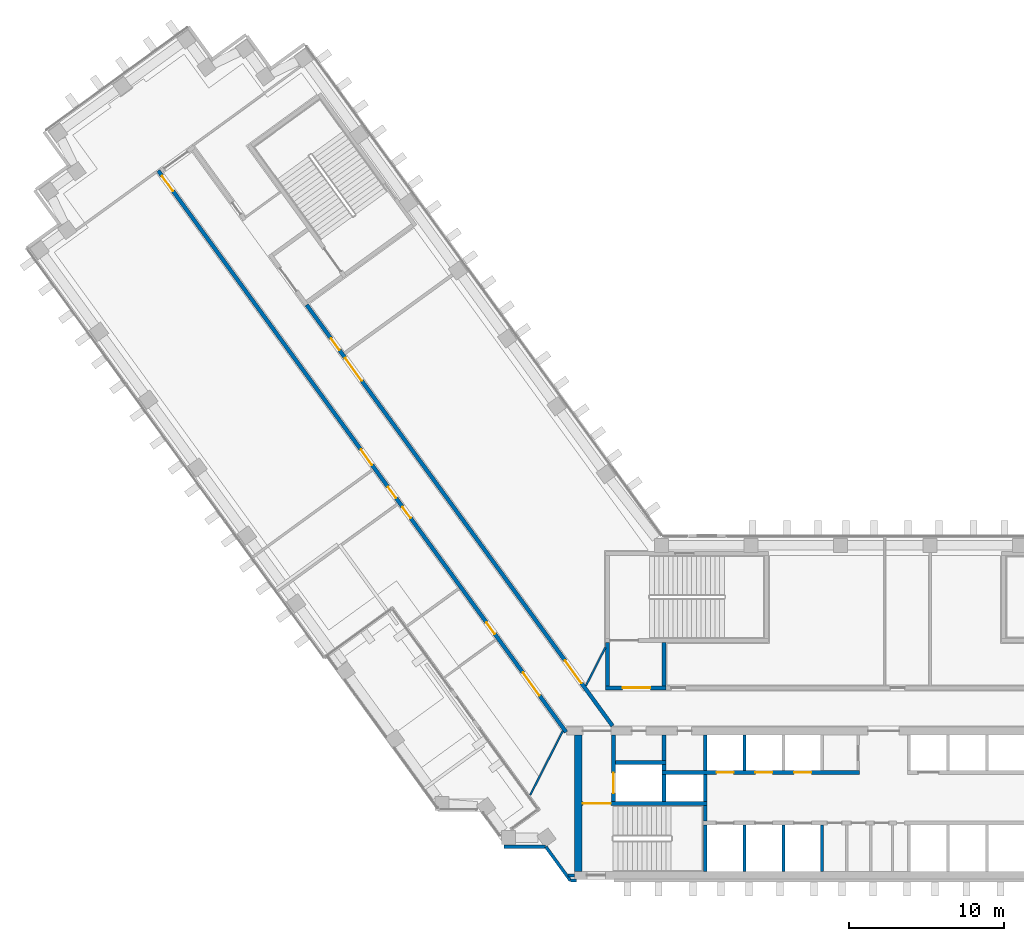
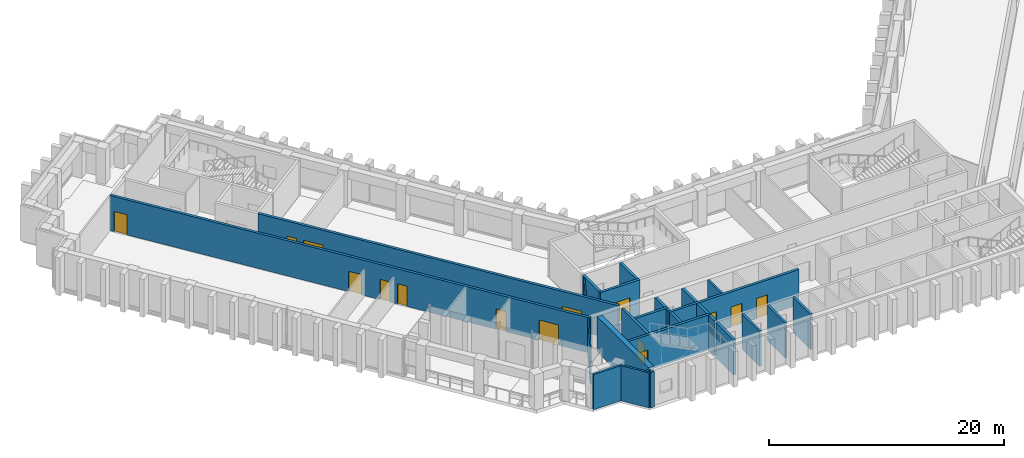
# One storey, part 8 of 16: 27 walls, 15 doors, 15 openings.
"""IFC4 building model written with IfcOpenShell, lengths in metres."""

from ifc_helpers import new_model, si_unit, direction, frame, frame_2d, origin, place, context, subcontext, project, spatial, rectangle, extrude, material, layer, layer_set, type_object, element, fill, save


model = new_model("IFC4")

# Units and contexts
model_context = context("Model", 3, precision=1e-05, world=origin(), true_north=direction((0.0, 1.0)))
body_context = subcontext(model_context, "Body", "Model", "MODEL_VIEW")
ifc_project = project(units=[si_unit("LENGTHUNIT", "METRE"), si_unit("AREAUNIT", "SQUARE_METRE"), si_unit("VOLUMEUNIT", "CUBIC_METRE"), si_unit("PLANEANGLEUNIT", "RADIAN"), si_unit("MASSUNIT", "GRAM", prefix="KILO")], contexts=[model_context])

# Site, building, storey
site_placement = place(None, origin())
site = spatial("IfcSite", under=ifc_project, at=site_placement, CompositionType="ELEMENT")
building_placement = place(site_placement, origin())
building = spatial("IfcBuilding", under=site, at=building_placement, Name="Quipu Civic Tower", CompositionType="ELEMENT")
storey_placement = place(building_placement, frame((0.0, 0.0, 63.0)))
storey = spatial("IfcBuildingStorey", under=building, at=storey_placement, Name="L14", CompositionType="ELEMENT", Elevation=63.0)

# Walls
ifc_material_1 = material(Name="Concrete C70/85", Category="concrete")
ifc_layer_1 = layer(ifc_material_1, 0.25)
ifc_layer_set_1 = layer_set([ifc_layer_1], Name="Concrete C70/85")
wall_type_1 = type_object("IfcWallType", Name="Core wall 250", PredefinedType="SHEAR", material=ifc_layer_set_1)
wall_1_placement = place(storey_placement, frame((-11.574951171875, -10.5, 0.0), z_axis=(0.0, 0.0, 1.0), x_axis=(0.0, 1.0, 0.0)))
element("IfcWall", 1, at=wall_1_placement, inside=storey, type_object=wall_type_1, Name="Core wall", PredefinedType="SHEAR", context=body_context, shape_type="SweptSolid", body=[
    extrude(rectangle(XDim=3.0, YDim=0.25, at=frame_2d((1.5, 0.0))), origin(), (0.0, 0.0, 1.0), 3.64990234375),
])
wall_2_placement = place(storey_placement, frame((-11.574951171875, -7.25, 0.0), z_axis=(0.0, 0.0, 1.0), x_axis=(0.0, 1.0, 0.0)))
element("IfcWall", 2, at=wall_2_placement, inside=storey, type_object=wall_type_1, Name="Core wall", PredefinedType="SHEAR", context=body_context, shape_type="SweptSolid", body=[
    extrude(rectangle(XDim=1.0, YDim=0.25, at=frame_2d((0.5, 0.0))), origin(), (0.0, 0.0, 1.0), 3.64990234375),
])

# Wall, opening, door
wall_3_placement = place(storey_placement, frame((-11.449951171875, -6.125, 0.0), z_axis=(0.0, 0.0, 1.0), x_axis=(-1.0, 0.0, 0.0)))
wall_3 = element("IfcWall", 3, at=wall_3_placement, inside=storey, type_object=wall_type_1, Name="Core wall", PredefinedType="SHEAR", context=body_context, shape_type="SweptSolid", body=[
    extrude(rectangle(XDim=8.050048828125, YDim=0.25, at=frame_2d((4.02490234375, 0.0))), origin(), (0.0, 0.0, 1.0), 3.64990234375),
])
opening_1_placement = place(wall_3_placement, frame((6.199951171875, 0.0, 0.0)))
opening_1 = element("IfcOpeningElement", 4, at=opening_1_placement, cuts=wall_3, Name="Opening CD-05", PredefinedType="OPENING", context=body_context, shape_type="SweptSolid", body=[
    extrude(rectangle(XDim=1.800048828125, YDim=2.10009765625, at=frame_2d((0.89990234375, 1.050048828125))), frame((0.0, 0.135009765625, 0.0), z_axis=(0.0, -1.0, 0.0), x_axis=(1.0, 0.0, 0.0)), (0.0, 0.0, 1.0), 0.27001953125),
])
ifc_material_2 = material(Name="Fire rated steel door", Category="steel")
door_type_1 = type_object("IfcDoorType", Name="Fire door FD90 double 1800 x 2100", OperationType="NOTDEFINED", PredefinedType="DOOR", material=ifc_material_2)
door_1_placement = place(opening_1_placement, origin())
door_1 = element("IfcDoor", 5, at=door_1_placement, inside=storey, type_object=door_type_1, Name="Door", OperationType="DOUBLE_DOOR_SINGLE_SWING", OverallHeight=2.10009765625, OverallWidth=1.800048828125, PredefinedType="DOOR", context=body_context, shape_type="SweptSolid", body=[
    extrude(rectangle(XDim=1.800048828125, YDim=2.10009765625, at=frame_2d((0.89990234375, 1.050048828125))), frame((0.0, 0.02490234375, 0.0), z_axis=(0.0, -1.0, 0.0), x_axis=(1.0, 0.0, 0.0)), (0.0, 0.0, 1.0), 0.050048828125),
])
fill(opening_1, door_1)

wall_4_placement = place(storey_placement, frame((-17.47509765625, -6.0, 0.0), z_axis=(0.0, 0.0, 1.0), x_axis=(0.0, 1.0, 0.0)))
wall_4 = element("IfcWall", 6, at=wall_4_placement, inside=storey, type_object=wall_type_1, Name="Core wall", PredefinedType="SHEAR", context=body_context, shape_type="SweptSolid", body=[
    extrude(rectangle(XDim=4.300048828125, YDim=0.25, at=frame_2d((2.14990234375, 0.0))), origin(), (0.0, 0.0, 1.0), 3.64990234375),
])
opening_2_placement = place(wall_4_placement, frame((0.550048828125, 0.0, 0.0)))
opening_2 = element("IfcOpeningElement", 7, at=opening_2_placement, cuts=wall_4, Name="Opening LD-FF1", PredefinedType="OPENING", context=body_context, shape_type="SweptSolid", body=[
    extrude(rectangle(XDim=1.300048828125, YDim=2.10009765625, at=frame_2d((0.64990234375, 1.050048828125))), frame((0.0, 0.135009765625, 0.0), z_axis=(0.0, -1.0, 0.0), x_axis=(1.0, 0.0, 0.0)), (0.0, 0.0, 1.0), 0.27001953125),
])
ifc_material_3 = material(Name="Stainless steel", Category="steel")
door_type_2 = type_object("IfcDoorType", Name="Lift landing door 1300 x 2100", OperationType="DOUBLE_DOOR_SLIDING", PredefinedType="DOOR", material=ifc_material_3)
door_2_placement = place(opening_2_placement, origin())
door_2 = element("IfcDoor", 8, at=door_2_placement, inside=storey, type_object=door_type_2, Name="Landing door FF1", OperationType="DOUBLE_DOOR_SLIDING", OverallHeight=2.10009765625, OverallWidth=1.300048828125, PredefinedType="DOOR", context=body_context, shape_type="SweptSolid", body=[
    extrude(rectangle(XDim=1.300048828125, YDim=2.10009765625, at=frame_2d((0.64990234375, 1.050048828125))), frame((0.0, 0.02490234375, 0.0), z_axis=(0.0, -1.0, 0.0), x_axis=(1.0, 0.0, 0.0)), (0.0, 0.0, 1.0), 0.050048828125),
])
fill(opening_2, door_2)

# Walls
for number, where, z_axis, x_axis, name in (
    (9, (-14.22509765625, -6.0, 0.0), (0.0, 0.0, 1.0), (0.0, 1.0, 0.0), "Core wall"),
    (10, (-11.574951171875, -6.0, 0.0), (0.0, 0.0, 1.0), (0.0, 1.0, 0.0), "Core wall"),
):
    element("IfcWall", number, at=place(storey_placement, frame(where, z_axis=z_axis, x_axis=x_axis)), inside=storey, type_object=wall_type_1, Name=name, PredefinedType="SHEAR", context=body_context, shape_type="SweptSolid", body=[
        extrude(rectangle(XDim=1.75, YDim=0.25, at=frame_2d((0.875, 0.0))), origin(), (0.0, 0.0, 1.0), 3.64990234375),
    ])

# Wall, openings, doors
wall_5_placement = place(storey_placement, frame((-14.35009765625, -4.125, 0.0), z_axis=(0.0, 0.0, 1.0), x_axis=(1.0, 0.0, 0.0)))
wall_5 = element("IfcWall", 11, at=wall_5_placement, inside=storey, type_object=wall_type_1, Name="Core wall", PredefinedType="SHEAR", context=body_context, shape_type="SweptSolid", body=[
    extrude(rectangle(XDim=12.7001953125, YDim=0.25, at=frame_2d((6.35009765625, 0.0))), origin(), (0.0, 0.0, 1.0), 3.64990234375),
])
opening_3_placement = place(wall_5_placement, frame((3.5, 0.0, 0.0)))
opening_3 = element("IfcOpeningElement", 12, at=opening_3_placement, cuts=wall_5, Name="Opening LD-LL4", PredefinedType="OPENING", context=body_context, shape_type="SweptSolid", body=[
    extrude(rectangle(XDim=1.10009765625, YDim=2.10009765625, at=frame_2d((0.550048828125, 1.050048828125))), frame((0.0, 0.135009765625, 0.0), z_axis=(0.0, -1.0, 0.0), x_axis=(1.0, 0.0, 0.0)), (0.0, 0.0, 1.0), 0.27001953125),
])
opening_4_placement = place(wall_5_placement, frame((6.0, 0.0, 0.0)))
opening_4 = element("IfcOpeningElement", 13, at=opening_4_placement, cuts=wall_5, Name="Opening LD-LL5", PredefinedType="OPENING", context=body_context, shape_type="SweptSolid", body=[
    extrude(rectangle(XDim=1.10009765625, YDim=2.10009765625, at=frame_2d((0.550048828125, 1.050048828125))), frame((0.0, 0.135009765625, 0.0), z_axis=(0.0, -1.0, 0.0), x_axis=(1.0, 0.0, 0.0)), (0.0, 0.0, 1.0), 0.27001953125),
])
opening_5_placement = place(wall_5_placement, frame((8.5, 0.0, 0.0)))
opening_5 = element("IfcOpeningElement", 14, at=opening_5_placement, cuts=wall_5, Name="Opening LD-LL6", PredefinedType="OPENING", context=body_context, shape_type="SweptSolid", body=[
    extrude(rectangle(XDim=1.10009765625, YDim=2.10009765625, at=frame_2d((0.550048828125, 1.050048828125))), frame((0.0, 0.135009765625, 0.0), z_axis=(0.0, -1.0, 0.0), x_axis=(1.0, 0.0, 0.0)), (0.0, 0.0, 1.0), 0.27001953125),
])
ifc_material_4 = material(Name="Stainless steel", Category="steel")
door_type_3 = type_object("IfcDoorType", Name="Lift landing door 1100 x 2100", OperationType="DOUBLE_DOOR_SLIDING", PredefinedType="DOOR", material=ifc_material_4)
door_3_placement = place(opening_3_placement, origin())
door_3 = element("IfcDoor", 15, at=door_3_placement, inside=storey, type_object=door_type_3, Name="Landing door LL4", OperationType="DOUBLE_DOOR_SLIDING", OverallHeight=2.10009765625, OverallWidth=1.10009765625, PredefinedType="DOOR", context=body_context, shape_type="SweptSolid", body=[
    extrude(rectangle(XDim=1.10009765625, YDim=2.10009765625, at=frame_2d((0.550048828125, 1.050048828125))), frame((0.0, 0.02490234375, 0.0), z_axis=(0.0, -1.0, 0.0), x_axis=(1.0, 0.0, 0.0)), (0.0, 0.0, 1.0), 0.050048828125),
])
fill(opening_3, door_3)
door_4_placement = place(opening_4_placement, origin())
door_4 = element("IfcDoor", 16, at=door_4_placement, inside=storey, type_object=door_type_3, Name="Landing door LL5", OperationType="DOUBLE_DOOR_SLIDING", OverallHeight=2.10009765625, OverallWidth=1.10009765625, PredefinedType="DOOR", context=body_context, shape_type="SweptSolid", body=[
    extrude(rectangle(XDim=1.10009765625, YDim=2.10009765625, at=frame_2d((0.550048828125, 1.050048828125))), frame((0.0, 0.02490234375, 0.0), z_axis=(0.0, -1.0, 0.0), x_axis=(1.0, 0.0, 0.0)), (0.0, 0.0, 1.0), 0.050048828125),
])
fill(opening_4, door_4)
door_5_placement = place(opening_5_placement, origin())
door_5 = element("IfcDoor", 17, at=door_5_placement, inside=storey, type_object=door_type_3, Name="Landing door LL6", OperationType="DOUBLE_DOOR_SLIDING", OverallHeight=2.10009765625, OverallWidth=1.10009765625, PredefinedType="DOOR", context=body_context, shape_type="SweptSolid", body=[
    extrude(rectangle(XDim=1.10009765625, YDim=2.10009765625, at=frame_2d((0.550048828125, 1.050048828125))), frame((0.0, 0.02490234375, 0.0), z_axis=(0.0, -1.0, 0.0), x_axis=(1.0, 0.0, 0.0)), (0.0, 0.0, 1.0), 0.050048828125),
])
fill(opening_5, door_5)

# Walls
wall_6_placement = place(storey_placement, frame((-14.22509765625, -4.0, 0.0), z_axis=(0.0, 0.0, 1.0), x_axis=(0.0, 1.0, 0.0)))
element("IfcWall", 18, at=wall_6_placement, inside=storey, type_object=wall_type_1, Name="Core wall", PredefinedType="SHEAR", context=body_context, shape_type="SweptSolid", body=[
    extrude(rectangle(XDim=0.39990234375, YDim=0.25, at=frame_2d((0.199951171875, 0.0))), origin(), (0.0, 0.0, 1.0), 3.64990234375),
])
wall_7_placement = place(storey_placement, frame((-11.574951171875, -4.0, 0.0), z_axis=(0.0, 0.0, 1.0), x_axis=(0.0, 1.0, 0.0)))
element("IfcWall", 19, at=wall_7_placement, inside=storey, type_object=wall_type_1, Name="Core wall", PredefinedType="SHEAR", context=body_context, shape_type="SweptSolid", body=[
    extrude(rectangle(XDim=2.300048828125, YDim=0.25, at=frame_2d((1.14990234375, 0.0))), origin(), (0.0, 0.0, 1.0), 3.64990234375),
])
wall_8_placement = place(storey_placement, frame((-17.35009765625, -3.47509765625, 0.0), z_axis=(0.0, 0.0, 1.0), x_axis=(1.0, 0.0, 0.0)))
element("IfcWall", 20, at=wall_8_placement, inside=storey, type_object=wall_type_1, Name="Core wall", PredefinedType="SHEAR", context=body_context, shape_type="SweptSolid", body=[
    extrude(rectangle(XDim=3.25, YDim=0.25, at=frame_2d((1.625, 0.0))), origin(), (0.0, 0.0, 1.0), 3.64990234375),
])
wall_9_placement = place(storey_placement, frame((-14.22509765625, -3.35009765625, 0.0), z_axis=(0.0, 0.0, 1.0), x_axis=(0.0, 1.0, 0.0)))
element("IfcWall", 21, at=wall_9_placement, inside=storey, type_object=wall_type_1, Name="Core wall", PredefinedType="SHEAR", context=body_context, shape_type="SweptSolid", body=[
    extrude(rectangle(XDim=1.650146484375, YDim=0.25, at=frame_2d((0.8251953125, 0.0))), origin(), (0.0, 0.0, 1.0), 3.64990234375),
])

# Wall, opening, door
wall_10_placement = place(storey_placement, frame((-18.0, 1.324951171875, 0.0), z_axis=(0.0, 0.0, 1.0), x_axis=(1.0, 0.0, 0.0)))
wall_10 = element("IfcWall", 22, at=wall_10_placement, inside=storey, type_object=wall_type_1, Name="Core wall", PredefinedType="SHEAR", context=body_context, shape_type="SweptSolid", body=[
    extrude(rectangle(XDim=3.89990234375, YDim=0.25, at=frame_2d((1.949951171875, 0.0))), origin(), (0.0, 0.0, 1.0), 3.64990234375),
])
opening_6_placement = place(wall_10_placement, frame((1.10009765625, 0.0, 0.0)))
opening_6 = element("IfcOpeningElement", 23, at=opening_6_placement, cuts=wall_10, Name="Opening CD-16", PredefinedType="OPENING", context=body_context, shape_type="SweptSolid", body=[
    extrude(rectangle(XDim=1.800048828125, YDim=2.10009765625, at=frame_2d((0.89990234375, 1.050048828125))), frame((0.0, 0.135009765625, 0.0), z_axis=(0.0, -1.0, 0.0), x_axis=(1.0, 0.0, 0.0)), (0.0, 0.0, 1.0), 0.27001953125),
])
door_6_placement = place(opening_6_placement, origin())
door_6 = element("IfcDoor", 24, at=door_6_placement, inside=storey, type_object=door_type_1, Name="Lobby door", OperationType="DOUBLE_DOOR_SINGLE_SWING", OverallHeight=2.10009765625, OverallWidth=1.800048828125, PredefinedType="DOOR", context=body_context, shape_type="SweptSolid", body=[
    extrude(rectangle(XDim=1.800048828125, YDim=2.10009765625, at=frame_2d((0.89990234375, 1.050048828125))), frame((0.0, 0.02490234375, 0.0), z_axis=(0.0, -1.0, 0.0), x_axis=(1.0, 0.0, 0.0)), (0.0, 0.0, 1.0), 0.050048828125),
])
fill(opening_6, door_6)

# Walls
for number, where, z_axis, x_axis, name in (
    (25, (-17.875, 1.449951171875, 0.0), (0.0, 0.0, 1.0), (0.0, 1.0, 0.0), "Core wall"),
    (26, (-14.22509765625, 1.449951171875, 0.0), (0.0, 0.0, 1.0), (0.0, 1.0, 0.0), "Core wall"),
):
    element("IfcWall", number, at=place(storey_placement, frame(where, z_axis=z_axis, x_axis=x_axis)), inside=storey, type_object=wall_type_1, Name=name, PredefinedType="SHEAR", context=body_context, shape_type="SweptSolid", body=[
        extrude(rectangle(XDim=2.800048828125, YDim=0.25, at=frame_2d((1.39990234375, 0.0))), origin(), (0.0, 0.0, 1.0), 3.64990234375),
    ])
ifc_material_5 = material(Name="Concrete C70/85", Category="concrete")
ifc_layer_2 = layer(ifc_material_5, 0.5)
ifc_layer_set_2 = layer_set([ifc_layer_2], Name="Concrete C70/85")
wall_type_2 = type_object("IfcWallType", Name="Core wall 500", PredefinedType="SHEAR", material=ifc_layer_set_2)
wall_11_placement = place(storey_placement, frame((-19.75, -10.5, 0.0), z_axis=(0.0, 0.0, 1.0), x_axis=(0.0, 1.0, 0.0)))
element("IfcWall", 27, at=wall_11_placement, inside=storey, type_object=wall_type_2, Name="Core wall", PredefinedType="SHEAR", context=body_context, shape_type="SweptSolid", body=[
    extrude(rectangle(XDim=8.800048828125, YDim=0.5, at=frame_2d((4.39990234375, 0.0))), origin(), (0.0, 0.0, 1.0), 3.64990234375),
])

# Wall, openings, doors
ifc_material_6 = material(Name="Concrete C50/60", Category="concrete")
ifc_layer_3 = layer(ifc_material_6, 0.25)
ifc_layer_set_3 = layer_set([ifc_layer_3], Name="Concrete C50/60")
wall_type_3 = type_object("IfcWallType", Name="Corridor wall 250 concrete", PredefinedType="SOLIDWALL", material=ifc_layer_set_3)
wall_12_placement = place(storey_placement, frame((-20.531005859375, -1.5234375, 0.0), z_axis=(0.0, 0.0, 1.0), x_axis=(-0.587784593204, 0.809017473231, 0.0)))
wall_12 = element("IfcWall", 28, at=wall_12_placement, inside=storey, type_object=wall_type_3, Name="Corridor wall C01", PredefinedType="SOLIDWALL", context=body_context, shape_type="SweptSolid", body=[
    extrude(rectangle(XDim=44.67041015625, YDim=0.25, at=frame_2d((22.335205078125, 0.0))), origin(), (0.0, 0.0, 1.0), 3.64990234375),
])
opening_7_placement = place(wall_12_placement, frame((43.0458984375, 0.0, 0.0)))
opening_7 = element("IfcOpeningElement", 29, at=opening_7_placement, cuts=wall_12, Name="Opening D015", PredefinedType="OPENING", context=body_context, shape_type="SweptSolid", body=[
    extrude(rectangle(XDim=1.199951171875, YDim=2.10009765625, at=frame_2d((0.60009765625, 1.050048828125))), frame((0.0, 0.135009765625, 0.0), z_axis=(0.0, -1.0, 0.0), x_axis=(1.0, 0.0, 0.0)), (0.0, 0.0, 1.0), 0.27001953125),
])
opening_8_placement = place(wall_12_placement, frame((21.265625, 0.0, 0.0)))
opening_8 = element("IfcOpeningElement", 30, at=opening_8_placement, cuts=wall_12, Name="Opening D016", PredefinedType="OPENING", context=body_context, shape_type="SweptSolid", body=[
    extrude(rectangle(XDim=1.199951171875, YDim=2.10009765625, at=frame_2d((0.60009765625, 1.050048828125))), frame((0.0, 0.135009765625, 0.0), z_axis=(0.0, -1.0, 0.0), x_axis=(1.0, 0.0, 0.0)), (0.0, 0.0, 1.0), 0.27001953125),
])
opening_9_placement = place(wall_12_placement, frame((17.015380859375, 0.0, 0.0)))
opening_9 = element("IfcOpeningElement", 31, at=opening_9_placement, cuts=wall_12, Name="Opening D018", PredefinedType="OPENING", context=body_context, shape_type="SweptSolid", body=[
    extrude(rectangle(XDim=0.89990234375, YDim=2.10009765625, at=frame_2d((0.449951171875, 1.050048828125))), frame((0.0, 0.135009765625, 0.0), z_axis=(0.0, -1.0, 0.0), x_axis=(1.0, 0.0, 0.0)), (0.0, 0.0, 1.0), 0.27001953125),
])
opening_10_placement = place(wall_12_placement, frame((2.92431640625, 0.0, 0.0)))
opening_10 = element("IfcOpeningElement", 32, at=opening_10_placement, cuts=wall_12, Name="Opening D020", PredefinedType="OPENING", context=body_context, shape_type="SweptSolid", body=[
    extrude(rectangle(XDim=1.800048828125, YDim=2.10009765625, at=frame_2d((0.89990234375, 1.050048828125))), frame((0.0, 0.135009765625, 0.0), z_axis=(0.0, -1.0, 0.0), x_axis=(1.0, 0.0, 0.0)), (0.0, 0.0, 1.0), 0.27001953125),
])
opening_11_placement = place(wall_12_placement, frame((18.6162109375, 0.0, 0.0)))
opening_11 = element("IfcOpeningElement", 33, at=opening_11_placement, cuts=wall_12, Name="Opening D017", PredefinedType="OPENING", context=body_context, shape_type="SweptSolid", body=[
    extrude(rectangle(XDim=0.89990234375, YDim=2.10009765625, at=frame_2d((0.449951171875, 1.050048828125))), frame((0.0, 0.135009765625, 0.0), z_axis=(0.0, -1.0, 0.0), x_axis=(1.0, 0.0, 0.0)), (0.0, 0.0, 1.0), 0.27001953125),
])
opening_12_placement = place(wall_12_placement, frame((7.81591796875, 0.0, 0.0)))
opening_12 = element("IfcOpeningElement", 34, at=opening_12_placement, cuts=wall_12, Name="Opening D019", PredefinedType="OPENING", context=body_context, shape_type="SweptSolid", body=[
    extrude(rectangle(XDim=0.89990234375, YDim=2.10009765625, at=frame_2d((0.449951171875, 1.050048828125))), frame((0.0, 0.135009765625, 0.0), z_axis=(0.0, -1.0, 0.0), x_axis=(1.0, 0.0, 0.0)), (0.0, 0.0, 1.0), 0.27001953125),
])
ifc_material_7 = material(Name="Fire rated timber door set with metal frame", Category="wood")
door_type_4 = type_object("IfcDoorType", Name="Double door 1800 x 2100 FD60", OperationType="DOUBLE_DOOR_SINGLE_SWING", PredefinedType="DOOR", material=ifc_material_7)
door_7_placement = place(opening_10_placement, origin())
door_7 = element("IfcDoor", 35, at=door_7_placement, inside=storey, type_object=door_type_4, Name="Door D020", OperationType="DOUBLE_DOOR_SINGLE_SWING", OverallHeight=2.10009765625, OverallWidth=1.800048828125, PredefinedType="DOOR", context=body_context, shape_type="SweptSolid", body=[
    extrude(rectangle(XDim=1.800048828125, YDim=2.10009765625, at=frame_2d((0.89990234375, 1.050048828125))), frame((0.0, 0.02490234375, 0.0), z_axis=(0.0, -1.0, 0.0), x_axis=(1.0, 0.0, 0.0)), (0.0, 0.0, 1.0), 0.050048828125),
])
fill(opening_10, door_7)
ifc_material_8 = material(Name="Fire rated timber door set with metal frame", Category="wood")
door_type_5 = type_object("IfcDoorType", Name="Single door 1200 x 2100 FD60", OperationType="NOTDEFINED", PredefinedType="DOOR", material=ifc_material_8)
door_8_placement = place(opening_7_placement, origin())
door_8 = element("IfcDoor", 36, at=door_8_placement, inside=storey, type_object=door_type_5, Name="Door D015", OperationType="SINGLE_SWING_RIGHT", OverallHeight=2.10009765625, OverallWidth=1.199951171875, PredefinedType="DOOR", context=body_context, shape_type="SweptSolid", body=[
    extrude(rectangle(XDim=1.199951171875, YDim=2.10009765625, at=frame_2d((0.60009765625, 1.050048828125))), frame((0.0, 0.02490234375, 0.0), z_axis=(0.0, -1.0, 0.0), x_axis=(1.0, 0.0, 0.0)), (0.0, 0.0, 1.0), 0.050048828125),
])
fill(opening_7, door_8)
door_9_placement = place(opening_8_placement, origin())
door_9 = element("IfcDoor", 37, at=door_9_placement, inside=storey, type_object=door_type_5, Name="Door D016", OperationType="SINGLE_SWING_LEFT", OverallHeight=2.10009765625, OverallWidth=1.199951171875, PredefinedType="DOOR", context=body_context, shape_type="SweptSolid", body=[
    extrude(rectangle(XDim=1.199951171875, YDim=2.10009765625, at=frame_2d((0.60009765625, 1.050048828125))), frame((0.0, 0.02490234375, 0.0), z_axis=(0.0, -1.0, 0.0), x_axis=(1.0, 0.0, 0.0)), (0.0, 0.0, 1.0), 0.050048828125),
])
fill(opening_8, door_9)
ifc_material_9 = material(Name="Fire rated timber door set with metal frame", Category="wood")
door_type_6 = type_object("IfcDoorType", Name="Single door 900 x 2100 FD60", OperationType="NOTDEFINED", PredefinedType="DOOR", material=ifc_material_9)
door_10_placement = place(opening_9_placement, origin())
door_10 = element("IfcDoor", 38, at=door_10_placement, inside=storey, type_object=door_type_6, Name="Door D018", OperationType="SINGLE_SWING_RIGHT", OverallHeight=2.10009765625, OverallWidth=0.89990234375, PredefinedType="DOOR", context=body_context, shape_type="SweptSolid", body=[
    extrude(rectangle(XDim=0.89990234375, YDim=2.10009765625, at=frame_2d((0.449951171875, 1.050048828125))), frame((0.0, 0.02490234375, 0.0), z_axis=(0.0, -1.0, 0.0), x_axis=(1.0, 0.0, 0.0)), (0.0, 0.0, 1.0), 0.050048828125),
])
fill(opening_9, door_10)
door_11_placement = place(opening_11_placement, origin())
door_11 = element("IfcDoor", 39, at=door_11_placement, inside=storey, type_object=door_type_6, Name="Door D017", OperationType="SINGLE_SWING_LEFT", OverallHeight=2.10009765625, OverallWidth=0.89990234375, PredefinedType="DOOR", context=body_context, shape_type="SweptSolid", body=[
    extrude(rectangle(XDim=0.89990234375, YDim=2.10009765625, at=frame_2d((0.449951171875, 1.050048828125))), frame((0.0, 0.02490234375, 0.0), z_axis=(0.0, -1.0, 0.0), x_axis=(1.0, 0.0, 0.0)), (0.0, 0.0, 1.0), 0.050048828125),
])
fill(opening_11, door_11)
door_12_placement = place(opening_12_placement, origin())
door_12 = element("IfcDoor", 40, at=door_12_placement, inside=storey, type_object=door_type_6, Name="Door D019", OperationType="SINGLE_SWING_LEFT", OverallHeight=2.10009765625, OverallWidth=0.89990234375, PredefinedType="DOOR", context=body_context, shape_type="SweptSolid", body=[
    extrude(rectangle(XDim=0.89990234375, YDim=2.10009765625, at=frame_2d((0.449951171875, 1.050048828125))), frame((0.0, 0.02490234375, 0.0), z_axis=(0.0, -1.0, 0.0), x_axis=(1.0, 0.0, 0.0)), (0.0, 0.0, 1.0), 0.050048828125),
])
fill(opening_12, door_12)

wall_13_placement = place(storey_placement, frame((-37.231689453125, 25.9716796875, 0.0), z_axis=(0.0, 0.0, 1.0), x_axis=(0.587786323093, -0.809016216391, 0.0)))
wall_13 = element("IfcWall", 41, at=wall_13_placement, inside=storey, type_object=wall_type_3, Name="Corridor wall C04", PredefinedType="SOLIDWALL", context=body_context, shape_type="SweptSolid", body=[
    extrude(rectangle(XDim=33.4931640625, YDim=0.25, at=frame_2d((16.74658203125, 0.0))), origin(), (0.0, 0.0, 1.0), 3.64990234375),
])
opening_13_placement = place(wall_13_placement, frame((28.30078125, 0.0, 0.0)))
opening_13 = element("IfcOpeningElement", 42, at=opening_13_placement, cuts=wall_13, Name="Opening D013", PredefinedType="OPENING", context=body_context, shape_type="SweptSolid", body=[
    extrude(rectangle(XDim=1.800048828125, YDim=2.10009765625, at=frame_2d((0.89990234375, 1.050048828125))), frame((0.0, 0.135009765625, 0.0), z_axis=(0.0, -1.0, 0.0), x_axis=(1.0, 0.0, 0.0)), (0.0, 0.0, 1.0), 0.27001953125),
])
opening_14_placement = place(wall_13_placement, frame((4.235107421875, 0.0, 0.0)))
opening_14 = element("IfcOpeningElement", 43, at=opening_14_placement, cuts=wall_13, Name="Opening D014", PredefinedType="OPENING", context=body_context, shape_type="SweptSolid", body=[
    extrude(rectangle(XDim=1.800048828125, YDim=2.10009765625, at=frame_2d((0.89990234375, 1.050048828125))), frame((0.0, 0.135009765625, 0.0), z_axis=(0.0, -1.0, 0.0), x_axis=(1.0, 0.0, 0.0)), (0.0, 0.0, 1.0), 0.27001953125),
])
opening_15_placement = place(wall_13_placement, frame((2.684814453125, 0.0, 0.0)))
opening_15 = element("IfcOpeningElement", 44, at=opening_15_placement, cuts=wall_13, Name="Opening D012", PredefinedType="OPENING", context=body_context, shape_type="SweptSolid", body=[
    extrude(rectangle(XDim=0.89990234375, YDim=2.10009765625, at=frame_2d((0.449951171875, 1.050048828125))), frame((0.0, 0.135009765625, 0.0), z_axis=(0.0, -1.0, 0.0), x_axis=(1.0, 0.0, 0.0)), (0.0, 0.0, 1.0), 0.27001953125),
])
door_13_placement = place(opening_13_placement, origin())
door_13 = element("IfcDoor", 45, at=door_13_placement, inside=storey, type_object=door_type_4, Name="Door D013", OperationType="DOUBLE_DOOR_SINGLE_SWING", OverallHeight=2.10009765625, OverallWidth=1.800048828125, PredefinedType="DOOR", context=body_context, shape_type="SweptSolid", body=[
    extrude(rectangle(XDim=1.800048828125, YDim=2.10009765625, at=frame_2d((0.89990234375, 1.050048828125))), frame((0.0, 0.02490234375, 0.0), z_axis=(0.0, -1.0, 0.0), x_axis=(1.0, 0.0, 0.0)), (0.0, 0.0, 1.0), 0.050048828125),
])
fill(opening_13, door_13)
door_14_placement = place(opening_14_placement, origin())
door_14 = element("IfcDoor", 46, at=door_14_placement, inside=storey, type_object=door_type_4, Name="Door D014", OperationType="DOUBLE_DOOR_SINGLE_SWING", OverallHeight=2.10009765625, OverallWidth=1.800048828125, PredefinedType="DOOR", context=body_context, shape_type="SweptSolid", body=[
    extrude(rectangle(XDim=1.800048828125, YDim=2.10009765625, at=frame_2d((0.89990234375, 1.050048828125))), frame((0.0, 0.02490234375, 0.0), z_axis=(0.0, -1.0, 0.0), x_axis=(1.0, 0.0, 0.0)), (0.0, 0.0, 1.0), 0.050048828125),
])
fill(opening_14, door_14)
door_15_placement = place(opening_15_placement, origin())
door_15 = element("IfcDoor", 47, at=door_15_placement, inside=storey, type_object=door_type_6, Name="Door D012", OperationType="SINGLE_SWING_RIGHT", OverallHeight=2.10009765625, OverallWidth=0.89990234375, PredefinedType="DOOR", context=body_context, shape_type="SweptSolid", body=[
    extrude(rectangle(XDim=0.89990234375, YDim=2.10009765625, at=frame_2d((0.449951171875, 1.050048828125))), frame((0.0, 0.02490234375, 0.0), z_axis=(0.0, -1.0, 0.0), x_axis=(1.0, 0.0, 0.0)), (0.0, 0.0, 1.0), 0.050048828125),
])
fill(opening_15, door_15)

# Walls
ifc_material_10 = material(Name="Gypsum plasterboard on light gauge framing")
ifc_layer_4 = layer(ifc_material_10, 0.1201171875)
ifc_layer_set_4 = layer_set([ifc_layer_4], Name="Gypsum plasterboard on light gauge framing")
wall_type_4 = type_object("IfcWallType", Name="Partition 120 plasterboard", PredefinedType="PARTITIONING", material=ifc_layer_set_4)
wall_14_placement = place(storey_placement, frame((-19.260986328125, 1.449951171875, 0.0), z_axis=(0.0, 0.0, 1.0), x_axis=(0.453950796792, 0.891026752736, 0.0)))
element("IfcWall", 48, at=wall_14_placement, inside=storey, type_object=wall_type_4, Name="Partition P15", PredefinedType="PARTITIONING", context=body_context, shape_type="SweptSolid", body=[
    extrude(rectangle(XDim=2.77783203125, YDim=0.1201171875, at=frame_2d((1.388916015625, 0.0))), origin(), (0.0, 0.0, 1.0), 3.64990234375),
])
wall_15_placement = place(storey_placement, frame((-22.840087890625, -5.57421875, 0.0), z_axis=(0.0, 0.0, 1.0), x_axis=(0.453931312426, 0.891036679155, 0.0)))
element("IfcWall", 49, at=wall_15_placement, inside=storey, type_object=wall_type_4, Name="Partition P17", PredefinedType="PARTITIONING", context=body_context, shape_type="SweptSolid", body=[
    extrude(rectangle(XDim=4.628662109375, YDim=0.1201171875, at=frame_2d((2.314453125, 0.0))), origin(), (0.0, 0.0, 1.0), 3.64990234375),
])
ifc_material_11 = material(Name="Precast concrete C40/50", Category="concrete")
wall_type_5 = type_object("IfcWallType", Name="Precast cladding wall", PredefinedType="SOLIDWALL", material=ifc_material_11)
wall_16_placement = place(storey_placement, frame((-24.542724609375, -8.90380859375, 0.0), z_axis=(0.0, 0.0, 1.0), x_axis=(1.0, 0.0, 0.0)))
element("IfcWall", 50, at=wall_16_placement, inside=storey, type_object=wall_type_5, Name="Precast cladding wall L14 P08", PredefinedType="SOLIDWALL", context=body_context, shape_type="SweptSolid", body=[
    extrude(rectangle(XDim=2.699951171875, YDim=0.199951171875, at=frame_2d((1.35009765625, 0.0))), origin(), (0.0, 0.0, 1.0), 3.64990234375),
])
wall_17_placement = place(storey_placement, frame((-21.8330078125, -8.90869140625, 0.0), z_axis=(0.0, 0.0, 1.0), x_axis=(0.587766567315, -0.809030569476, 0.0)))
element("IfcWall", 51, at=wall_17_placement, inside=storey, type_object=wall_type_5, Name="Precast cladding wall L14 P09", PredefinedType="SOLIDWALL", context=body_context, shape_type="SweptSolid", body=[
    extrude(rectangle(XDim=2.687744140625, YDim=0.199951171875, at=frame_2d((1.34375, 0.0))), origin(), (0.0, 0.0, 1.0), 3.64990234375),
])
wall_18_placement = place(storey_placement, frame((-20.255859375, -11.087890625, 0.0), z_axis=(0.0, 0.0, 1.0), x_axis=(1.0, 0.0, 0.0)))
element("IfcWall", 52, at=wall_18_placement, inside=storey, type_object=wall_type_5, Name="Precast cladding wall L14 P10", PredefinedType="SOLIDWALL", context=body_context, shape_type="SweptSolid", body=[
    extrude(rectangle(XDim=0.40576171875, YDim=0.199951171875, at=frame_2d((0.202880859375, 0.0))), origin(), (0.0, 0.0, 1.0), 3.64990234375),
])
wall_19_placement = place(storey_placement, frame((-19.97998046875, -10.75, 0.0), z_axis=(0.0, 0.0, 1.0), x_axis=(-1.0, 0.0, 0.0)))
element("IfcWall", 53, at=wall_19_placement, inside=storey, type_object=wall_type_5, Name="Precast cladding return L14 W", PredefinedType="SOLIDWALL", context=body_context, shape_type="SweptSolid", body=[
    extrude(rectangle(XDim=0.41650390625, YDim=0.199951171875, at=frame_2d((0.208251953125, 0.0))), origin(), (0.0, 0.0, 1.0), 3.64990234375),
])
ifc_material_12 = material(Name="Concrete C40/50", Category="concrete")
ifc_layer_5 = layer(ifc_material_12, 0.199951171875)
ifc_layer_set_5 = layer_set([ifc_layer_5], Name="Concrete C40/50")
wall_type_6 = type_object("IfcWallType", Name="Shaft wall 200", PredefinedType="SOLIDWALL", material=ifc_layer_set_5)
for number, where, z_axis, x_axis, name in (
    (54, (-9.050048828125, -10.5, 0.0), (0.0, 0.0, 1.0), (0.0, 1.0, 0.0), "Shaft wall"),
    (55, (-6.550048828125, -10.5, 0.0), (0.0, 0.0, 1.0), (0.0, 1.0, 0.0), "Shaft wall"),
    (56, (-4.050048828125, -10.5, 0.0), (0.0, 0.0, 1.0), (0.0, 1.0, 0.0), "Shaft wall"),
):
    element("IfcWall", number, at=place(storey_placement, frame(where, z_axis=z_axis, x_axis=x_axis)), inside=storey, type_object=wall_type_6, Name=name, PredefinedType="SOLIDWALL", context=body_context, shape_type="SweptSolid", body=[
        extrude(rectangle(XDim=3.0, YDim=0.199951171875, at=frame_2d((1.5, 0.0))), origin(), (0.0, 0.0, 1.0), 3.64990234375),
    ])
wall_20_placement = place(storey_placement, frame((-9.050048828125, -4.0, 0.0), z_axis=(0.0, 0.0, 1.0), x_axis=(0.0, 1.0, 0.0)))
element("IfcWall", 57, at=wall_20_placement, inside=storey, type_object=wall_type_6, Name="Shaft wall", PredefinedType="SOLIDWALL", context=body_context, shape_type="SweptSolid", body=[
    extrude(rectangle(XDim=2.300048828125, YDim=0.199951171875, at=frame_2d((1.14990234375, 0.0))), origin(), (0.0, 0.0, 1.0), 3.64990234375),
])

save(model, "model.ifc")
